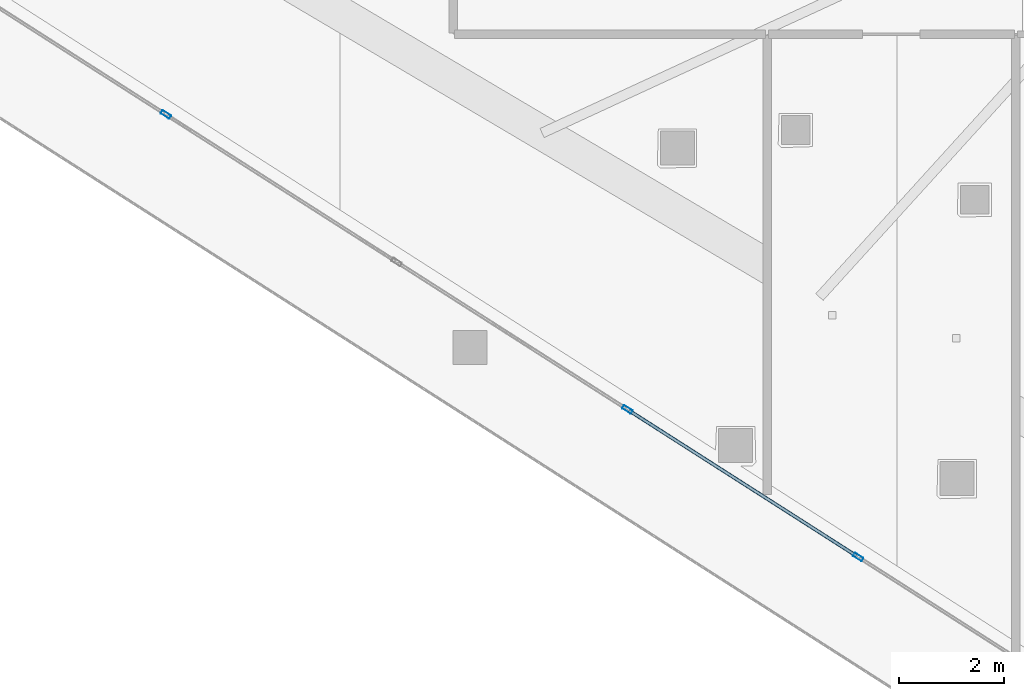
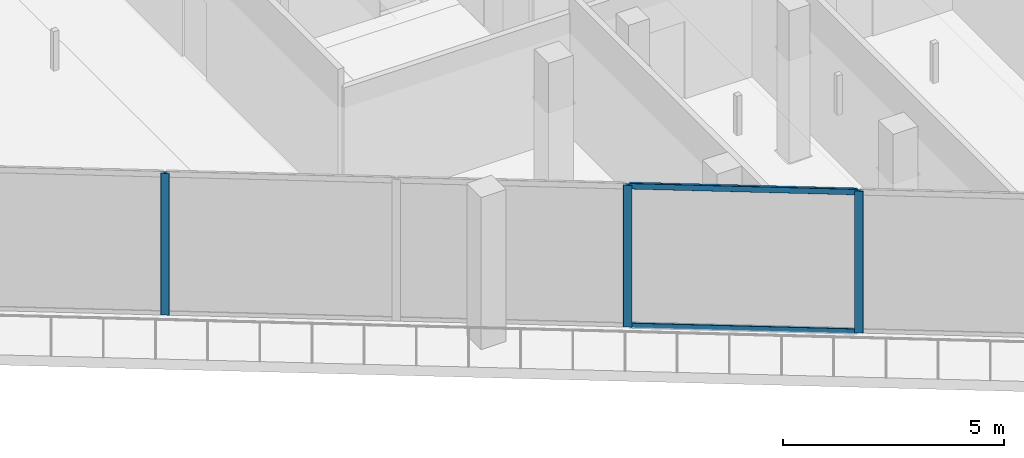
# One storey, part 2 of 44: 5 members, 1 element without a shape of its own.
"""IFC4 building model written with IfcOpenShell, lengths in metres."""

from ifc_helpers import new_model, si_unit, direction, frame, origin, origin_2d, place, context, subcontext, project, spatial, hollow_rectangle, extrude, material, layer, layer_set, material_profile, profile_set, type_object, element, aggregate, save


model = new_model("IFC4")

# Units and contexts
model_context = context("Model", 3, precision=1e-05, world=origin(), true_north=direction((0.0, 1.0)))
body_context = subcontext(model_context, "Body", "Model", "MODEL_VIEW")
ifc_project = project(units=[si_unit("LENGTHUNIT", "METRE"), si_unit("AREAUNIT", "SQUARE_METRE"), si_unit("VOLUMEUNIT", "CUBIC_METRE"), si_unit("PLANEANGLEUNIT", "RADIAN"), si_unit("MASSUNIT", "GRAM", prefix="KILO")], contexts=[model_context])

# Site, building, storey
site_placement = place(None, origin())
site = spatial("IfcSite", under=ifc_project, at=site_placement, CompositionType="ELEMENT")
building_placement = place(site_placement, origin())
building = spatial("IfcBuilding", under=site, at=building_placement, Name="Qorvath Tower", CompositionType="ELEMENT")
storey_placement = place(building_placement, frame((0.0, 0.0, 78.60009765625)))
storey = spatial("IfcBuildingStorey", under=building, at=storey_placement, Name="L17", CompositionType="ELEMENT", Elevation=78.60009765625)

# Curtain wall, members
ifc_material_1 = material(Name="Anodised aluminium and triple low-E glass", Category="aluminium")
ifc_layer = layer(ifc_material_1, 0.179931640625)
ifc_layer_set = layer_set([ifc_layer], Name="CW-SYS-5")
curtain_wall_type = type_object("IfcCurtainWallType", Name="CW-SYS-5", PredefinedType="NOTDEFINED", material=ifc_layer_set)
curtain_wall_placement = place(storey_placement, origin())
curtain_wall = element("IfcCurtainWall", 1, at=curtain_wall_placement, inside=storey, type_object=curtain_wall_type, Name="Curtain Wall CW-5 CW-T-L17-6.1", PredefinedType="NOTDEFINED")
ifc_material_2 = material(Name="Anodised aluminium 6063-T6", Category="aluminium")
ifc_material_profile_1 = material_profile(ifc_material_2, hollow_rectangle(XDim=0.074951171875, YDim=0.199951171875, WallThickness=0.00390625, InnerFilletRadius=0.00390625, OuterFilletRadius=0.008056640625, at=origin_2d()), Name="CWM 200x75")
ifc_profile_set_1 = profile_set([ifc_material_profile_1], Name="Anodised aluminium 6063-T6")
member_type_1 = type_object("IfcMemberType", Name="CWM-200", PredefinedType="MULLION", material=ifc_profile_set_1)
member_1_placement = place(storey_placement, frame((-46.152587890625, -12.49462890625, 0.0), z_axis=(0.0, 0.0, 1.0), x_axis=(0.538533177038, 0.842604306439, 0.0)))
member_1 = element("IfcMember", 2, at=member_1_placement, type_object=member_type_1, Name="CW-5 mullion 4", PredefinedType="MULLION", context=body_context, shape_type="SweptSolid", body=[
    extrude(hollow_rectangle(XDim=0.074951171875, YDim=0.199951171875, WallThickness=0.00390625, InnerFilletRadius=0.00390625, OuterFilletRadius=0.008056640625, at=origin_2d()), origin(), (0.0, 0.0, 1.0), 3.919921875),
])
member_2_placement = place(storey_placement, frame((-37.323974609375, -18.13720703125, 0.0), z_axis=(0.0, 0.0, 1.0), x_axis=(0.538533177038, 0.842604306439, 0.0)))
member_2 = element("IfcMember", 3, at=member_2_placement, type_object=member_type_1, Name="CW-5 mullion 6", PredefinedType="MULLION", context=body_context, shape_type="SweptSolid", body=[
    extrude(hollow_rectangle(XDim=0.074951171875, YDim=0.199951171875, WallThickness=0.00390625, InnerFilletRadius=0.00390625, OuterFilletRadius=0.008056640625, at=origin_2d()), origin(), (0.0, 0.0, 1.0), 3.919921875),
])
member_3_placement = place(storey_placement, frame((-32.909423828125, -20.958740234375, 0.0), z_axis=(0.0, 0.0, 1.0), x_axis=(0.538533177038, 0.842604306439, 0.0)))
member_3 = element("IfcMember", 4, at=member_3_placement, type_object=member_type_1, Name="CW-5 mullion 7", PredefinedType="MULLION", context=body_context, shape_type="SweptSolid", body=[
    extrude(hollow_rectangle(XDim=0.074951171875, YDim=0.199951171875, WallThickness=0.00390625, InnerFilletRadius=0.00390625, OuterFilletRadius=0.008056640625, at=origin_2d()), origin(), (0.0, 0.0, 1.0), 3.919921875),
])
ifc_material_3 = material(Name="Anodised aluminium 6063-T6", Category="aluminium")
ifc_material_profile_2 = material_profile(ifc_material_3, hollow_rectangle(XDim=0.06494140625, YDim=0.159912109375, WallThickness=0.00341796875, InnerFilletRadius=0.00341796875, OuterFilletRadius=0.007080078125, at=origin_2d()), Name="CWT 160x65")
ifc_profile_set_2 = profile_set([ifc_material_profile_2], Name="Anodised aluminium 6063-T6")
member_type_2 = type_object("IfcMemberType", Name="CWT-160", PredefinedType="USERDEFINED", material=ifc_profile_set_2)
member_4_placement = place(storey_placement, frame((-37.292236328125, -18.157470703125, 0.032470703125), z_axis=(0.842594952628, -0.538547811996, 0.0), x_axis=(0.538547811996, 0.842594952628, 0.0)))
member_4 = element("IfcMember", 5, at=member_4_placement, type_object=member_type_2, Name="CW-5 transom 6.1", ObjectType="TRANSOM", PredefinedType="USERDEFINED", context=body_context, shape_type="SweptSolid", body=[
    extrude(hollow_rectangle(XDim=0.06494140625, YDim=0.159912109375, WallThickness=0.00341796875, InnerFilletRadius=0.00341796875, OuterFilletRadius=0.007080078125, at=origin_2d()), origin(), (0.0, 0.0, 1.0), 5.163818359375),
])
member_5_placement = place(storey_placement, frame((-37.292236328125, -18.157470703125, 3.887451171875), z_axis=(0.842594952628, -0.538547811996, 0.0), x_axis=(0.538547811996, 0.842594952628, 0.0)))
member_5 = element("IfcMember", 6, at=member_5_placement, type_object=member_type_2, Name="CW-5 transom 6.2", ObjectType="TRANSOM", PredefinedType="USERDEFINED", context=body_context, shape_type="SweptSolid", body=[
    extrude(hollow_rectangle(XDim=0.06494140625, YDim=0.159912109375, WallThickness=0.00341796875, InnerFilletRadius=0.00341796875, OuterFilletRadius=0.007080078125, at=origin_2d()), origin(), (0.0, 0.0, 1.0), 5.163818359375),
])
aggregate(curtain_wall, [member_1, member_2, member_3, member_4, member_5])

save(model, "model.ifc")
